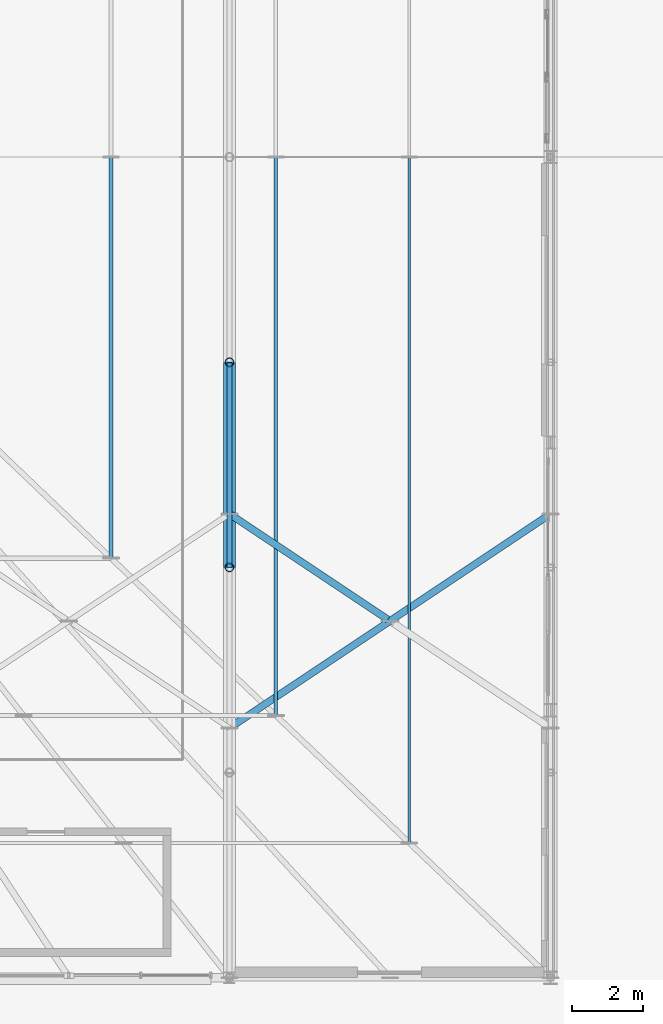
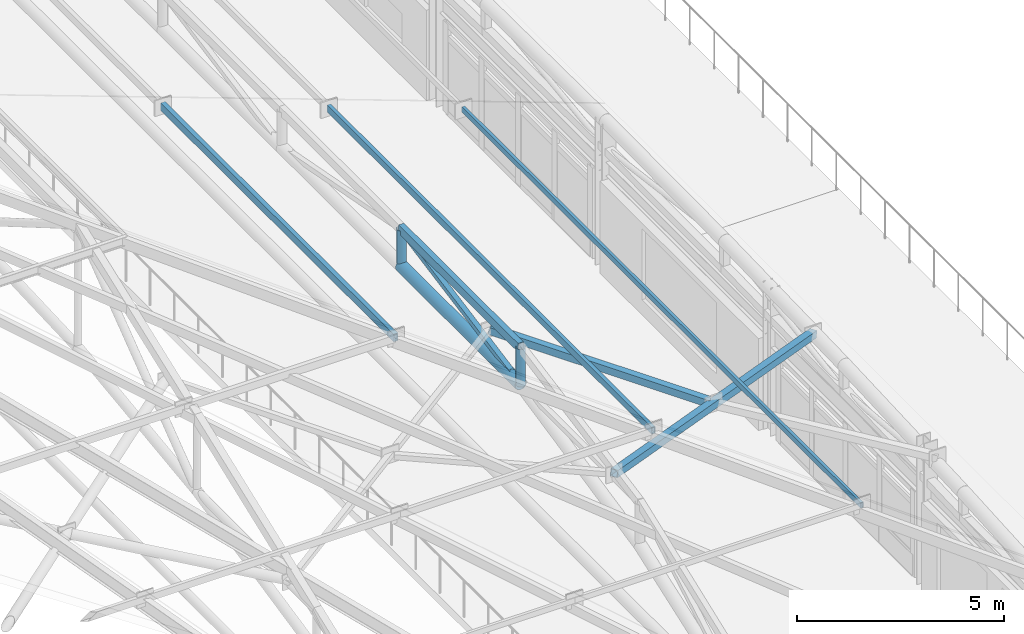
# One storey, part 46 of 168: 9 members, 1 beam.
"""IFC4 building model written with IfcOpenShell, lengths in metres."""

from ifc_helpers import new_model, si_unit, direction, frame, origin, origin_2d, place, context, subcontext, project, spatial, hollow_rectangle, hollow_circle, extrude, material, material_profile, profile_set, type_object, element, save


model = new_model("IFC4")

# Units and contexts
model_context = context("Model", 3, precision=1e-05, world=origin(), true_north=direction((0.0, 1.0)))
body_context = subcontext(model_context, "Body", "Model", "MODEL_VIEW")
ifc_project = project(units=[si_unit("LENGTHUNIT", "METRE"), si_unit("AREAUNIT", "SQUARE_METRE"), si_unit("VOLUMEUNIT", "CUBIC_METRE"), si_unit("PLANEANGLEUNIT", "RADIAN"), si_unit("MASSUNIT", "GRAM", prefix="KILO"), si_unit("THERMODYNAMICTEMPERATUREUNIT", "KELVIN"), si_unit("POWERUNIT", "WATT")], contexts=[model_context])

# Site, building, storey
site_placement = place(None, origin())
site = spatial("IfcSite", under=ifc_project, at=site_placement, CompositionType="ELEMENT")
building_placement = place(site_placement, origin())
building = spatial("IfcBuilding", under=site, at=building_placement, Name="Tepalcoro Natatorium and Aquatics Centre", CompositionType="ELEMENT")
storey_placement = place(building_placement, frame((0.0, 0.0, 10.199951171875)))
storey = spatial("IfcBuildingStorey", under=building, at=storey_placement, Name="L02", CompositionType="ELEMENT", Elevation=10.199951171875)

# Beam
ifc_material_1 = material(Name="Terracotta Painted Hollow Steel ASTM A500 Grade C (Fy 345 MPa)", Category="masonry")
ifc_material_profile_1 = material_profile(ifc_material_1, hollow_rectangle(XDim=0.14990234375, YDim=0.25, WallThickness=0.011962890625, at=origin_2d()), Name="HSS250X150X12")
ifc_profile_set_1 = profile_set([ifc_material_profile_1], Name="Terracotta Painted Hollow Steel ASTM A500 Grade C (Fy 345 MPa)")
beam_type = type_object("IfcBeamType", Name="AC_HSS250x150x12", PredefinedType="USERDEFINED", material=ifc_profile_set_1)
beam_placement = place(storey_placement, frame((116.0, 24.5, 7.755859375), z_axis=(0.0, 1.0, 0.0), x_axis=(-1.0, 0.0, 0.0)))
element("IfcBeam", 1, at=beam_placement, inside=storey, type_object=beam_type, Name="V1 Arched Truss Top Chord 8", ObjectType="ARCH CHORD", PredefinedType="USERDEFINED", context=body_context, shape_type="SweptSolid", body=[
    extrude(hollow_rectangle(XDim=0.14990234375, YDim=0.25, WallThickness=0.011962890625, at=origin_2d()), origin(), (0.0, 0.0, 1.0), 5.75),
])

# Members
ifc_material_2 = material(Name="Hollow Steel ASTM A500 Grade C (Fy 345 MPa)", Category="steel")
ifc_material_profile_2 = material_profile(ifc_material_2, hollow_rectangle(XDim=0.199951171875, YDim=0.199951171875, WallThickness=0.011962890625, at=origin_2d()), Name="HSS200X200X12")
ifc_profile_set_2 = profile_set([ifc_material_profile_2], Name="Hollow Steel ASTM A500 Grade C (Fy 345 MPa)")
member_type_1 = type_object("IfcMemberType", Name="MB_BR_HSS200x200x12", PredefinedType="BRACE", material=ifc_profile_set_2)
member_1_placement = place(storey_placement, frame((116.0, 20.0, 6.768310546875), z_axis=(0.80774604304, 0.538497362027, -0.23993107561), x_axis=(-0.554700196225, 0.832050294338, 0.0)))
element("IfcMember", 2, at=member_1_placement, inside=storey, type_object=member_type_1, Name="V1 Pyramid Roof Wind Brace", PredefinedType="BRACE", context=body_context, shape_type="SweptSolid", body=[
    extrude(hollow_rectangle(XDim=0.199951171875, YDim=0.199951171875, WallThickness=0.011962890625, at=origin_2d()), origin(), (0.0, 0.0, 1.0), 11.14208984375),
])
member_2_placement = place(storey_placement, frame((120.412353515625, 23.058349609375, 5.463623046875), z_axis=(-0.782705464497, 0.521818078997, 0.339231555547), x_axis=(-0.554710820314, -0.832043211514, 0.0)))
element("IfcMember", 3, at=member_2_placement, inside=storey, type_object=member_type_1, Name="V1 Pyramid Roof Split Wind Brace", PredefinedType="BRACE", context=body_context, shape_type="SweptSolid", body=[
    extrude(hollow_rectangle(XDim=0.199951171875, YDim=0.199951171875, WallThickness=0.011962890625, at=origin_2d()), origin(), (0.0, 0.0, 1.0), 5.63720703125),
])
ifc_material_profile_3 = material_profile(ifc_material_1, hollow_circle(Radius=0.162109375, WallThickness=0.013916015625, at=origin_2d()), Name="CHS324X14")
ifc_profile_set_3 = profile_set([ifc_material_profile_3], Name="Terracotta Painted Hollow Steel ASTM A500 Grade C (Fy 345 MPa)")
member_type_2 = type_object("IfcMemberType", Name="MB_CH_CHS324x14", PredefinedType="CHORD", material=ifc_profile_set_3)
member_3_placement = place(storey_placement, frame((116.0, 24.5, 6.656005859375), z_axis=(0.0, 1.0, 0.0), x_axis=(-1.0, 0.0, 0.0)))
element("IfcMember", 4, at=member_3_placement, inside=storey, type_object=member_type_2, Name="V1 Arched Truss Bottom Chord 8", PredefinedType="CHORD", context=body_context, shape_type="SweptSolid", body=[
    extrude(hollow_circle(Radius=0.162109375, WallThickness=0.013916015625, at=origin_2d()), origin(), (0.0, 0.0, 1.0), 5.75),
])
ifc_material_profile_4 = material_profile(ifc_material_2, hollow_rectangle(XDim=0.080078125, YDim=0.159912109375, WallThickness=0.008056640625, at=origin_2d()), Name="HSS160X80X8")
ifc_profile_set_4 = profile_set([ifc_material_profile_4], Name="Hollow Steel ASTM A500 Grade C (Fy 345 MPa)")
member_type_3 = type_object("IfcMemberType", Name="MB_PR_HSS160x80x8", PredefinedType="PURLIN", material=ifc_profile_set_4)
member_4_placement = place(storey_placement, frame((121.0400390625, 16.780029296875, 6.015625), z_axis=(0.0, 1.0, 0.0), x_axis=(-1.0, 0.0, 0.0)))
element("IfcMember", 5, at=member_4_placement, inside=storey, type_object=member_type_3, Name="Pyramid Horizontal Purlin E", PredefinedType="PURLIN", context=body_context, shape_type="SweptSolid", body=[
    extrude(hollow_rectangle(XDim=0.080078125, YDim=0.159912109375, WallThickness=0.008056640625, at=origin_2d()), origin(), (0.0, 0.0, 1.0), 19.219970703125),
])
ifc_material_profile_5 = material_profile(ifc_material_2, hollow_rectangle(XDim=0.10009765625, YDim=0.199951171875, WallThickness=0.008056640625, at=origin_2d()), Name="HSS200X100X8")
ifc_profile_set_5 = profile_set([ifc_material_profile_5], Name="Hollow Steel ASTM A500 Grade C (Fy 345 MPa)")
member_type_4 = type_object("IfcMemberType", Name="MB_PR_HSS200x100x8", PredefinedType="PURLIN", material=ifc_profile_set_5)
member_5_placement = place(storey_placement, frame((117.300048828125, 20.35009765625, 7.359130859375), z_axis=(0.0, 1.0, 0.0), x_axis=(-1.0, 0.0, 0.0)))
element("IfcMember", 6, at=member_5_placement, inside=storey, type_object=member_type_4, Name="Pyramid Horizontal Purlin E", PredefinedType="PURLIN", context=body_context, shape_type="SweptSolid", body=[
    extrude(hollow_rectangle(XDim=0.10009765625, YDim=0.199951171875, WallThickness=0.008056640625, at=origin_2d()), origin(), (0.0, 0.0, 1.0), 15.64990234375),
])
ifc_material_profile_6 = material_profile(ifc_material_2, hollow_rectangle(XDim=0.1201171875, YDim=0.219970703125, WallThickness=0.010009765625, at=origin_2d()), Name="HSS220X120X10")
ifc_profile_set_6 = profile_set([ifc_material_profile_6], Name="Hollow Steel ASTM A500 Grade C (Fy 345 MPa)")
member_type_5 = type_object("IfcMemberType", Name="MB_PR_HSS220x120x10", PredefinedType="PURLIN", material=ifc_profile_set_6)
member_6_placement = place(storey_placement, frame((112.679931640625, 24.760009765625, 9.033203125), z_axis=(0.0, 1.0, 0.0), x_axis=(-1.0, 0.0, 0.0)))
element("IfcMember", 7, at=member_6_placement, inside=storey, type_object=member_type_5, Name="Pyramid Horizontal Purlin E", PredefinedType="PURLIN", context=body_context, shape_type="SweptSolid", body=[
    extrude(hollow_rectangle(XDim=0.1201171875, YDim=0.219970703125, WallThickness=0.010009765625, at=origin_2d()), origin(), (0.0, 0.0, 1.0), 11.239990234375),
])
ifc_material_profile_7 = material_profile(ifc_material_1, hollow_circle(Radius=0.1220703125, WallThickness=0.011962890625, at=origin_2d()), Name="CHS244X12")
ifc_profile_set_7 = profile_set([ifc_material_profile_7], Name="Terracotta Painted Hollow Steel ASTM A500 Grade C (Fy 345 MPa)")
member_type_6 = type_object("IfcMemberType", Name="MB_PS_CHS244x12", PredefinedType="POST", material=ifc_profile_set_7)
for number, where, z_axis, x_axis, name in (
    (8, (116.0, 24.5, 6.656005859375), (0.0, 0.0, 1.0), (1.0, 0.0, 0.0), "V1 Arched Truss Vertical Post 8"),
    (9, (116.0, 30.25, 6.656005859375), (0.0, 0.0, 1.0), (1.0, 0.0, 0.0), "V1 Arched Truss Vertical Post 8"),
):
    element("IfcMember", number, at=place(storey_placement, frame(where, z_axis=z_axis, x_axis=x_axis)), inside=storey, type_object=member_type_6, Name=name, PredefinedType="POST", context=body_context, shape_type="SweptSolid", body=[
        extrude(hollow_circle(Radius=0.1220703125, WallThickness=0.011962890625, at=origin_2d()), origin(), (0.0, 0.0, 1.0), 1.099853515625),
    ])
ifc_material_profile_8 = material_profile(ifc_material_2, hollow_rectangle(XDim=0.139892578125, YDim=0.139892578125, WallThickness=0.008056640625, at=origin_2d()), Name="HSS140X140X8")
ifc_profile_set_8 = profile_set([ifc_material_profile_8], Name="Hollow Steel ASTM A500 Grade C (Fy 345 MPa)")
member_type_7 = type_object("IfcMemberType", Name="MB_ST_HSS140x140x8", PredefinedType="STRUT", material=ifc_profile_set_8)
member_7_placement = place(storey_placement, frame((116.0, 24.5, 6.656005859375), z_axis=(0.0, 0.982193360105, 0.187872838284), x_axis=(-1.0, 0.0, 0.0)))
element("IfcMember", 10, at=member_7_placement, inside=storey, type_object=member_type_7, Name="V1 Arched Truss Web Diagonal 8", PredefinedType="STRUT", context=body_context, shape_type="SweptSolid", body=[
    extrude(hollow_rectangle(XDim=0.139892578125, YDim=0.139892578125, WallThickness=0.008056640625, at=origin_2d()), origin(), (0.0, 0.0, 1.0), 5.854248046875),
])

save(model, "model.ifc")
